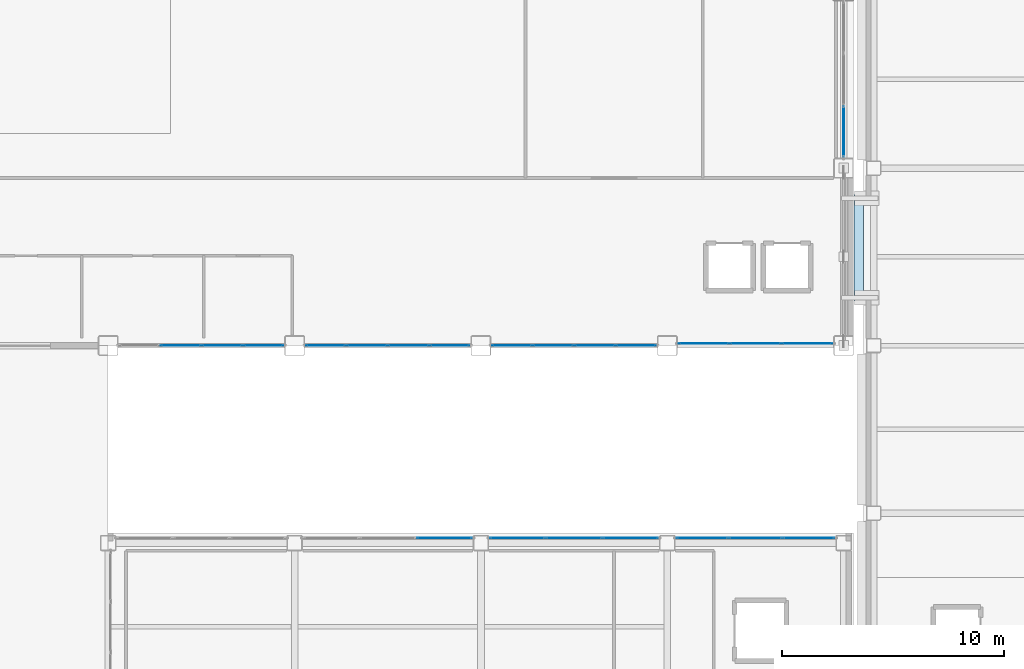
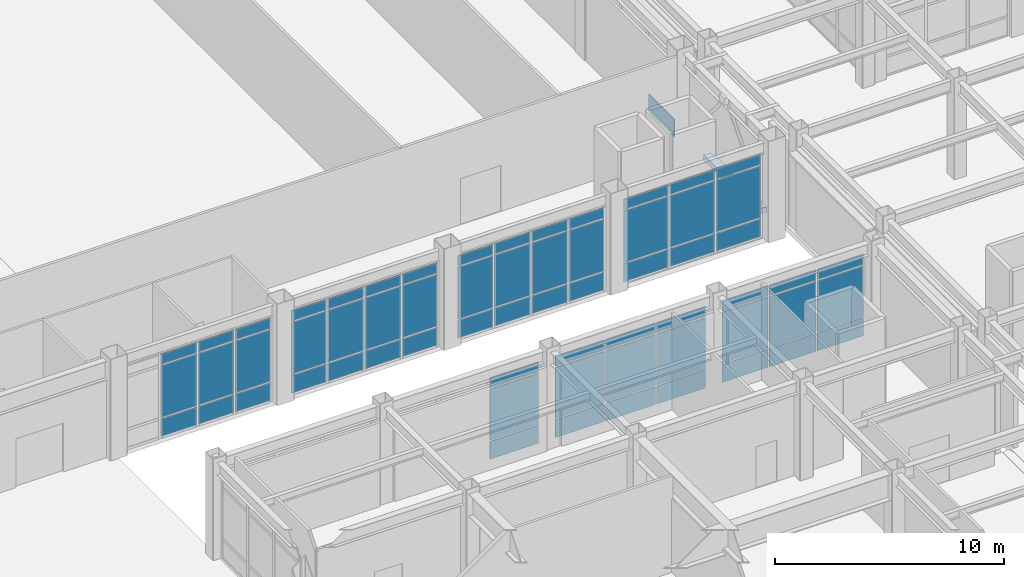
# One storey, part 111 of 165: 64 plates, 1 slab, 8 elements without a shape of their own.
"""IFC4 building model written with IfcOpenShell, lengths in metres."""

from ifc_helpers import new_model, si_unit, direction, frame, origin, origin_2d, place, context, subcontext, project, spatial, polyline, rectangle, outline, extrude, material, layer, layer_set, type_object, element, aggregate, save


model = new_model("IFC4")

# Units and contexts
model_context = context("Model", 3, precision=1e-05, world=origin(), true_north=direction((0.0, 1.0)))
body_context = subcontext(model_context, "Body", "Model", "MODEL_VIEW")
ifc_project = project(units=[si_unit("LENGTHUNIT", "METRE"), si_unit("AREAUNIT", "SQUARE_METRE"), si_unit("VOLUMEUNIT", "CUBIC_METRE"), si_unit("PLANEANGLEUNIT", "RADIAN"), si_unit("MASSUNIT", "GRAM", prefix="KILO")], contexts=[model_context])

# Site, building, storey
site_placement = place(None, origin())
site = spatial("IfcSite", under=ifc_project, at=site_placement, CompositionType="ELEMENT")
building_placement = place(site_placement, origin())
building = spatial("IfcBuilding", under=site, at=building_placement, Name="Kazehara Bluff Congress Hotel", CompositionType="ELEMENT")
storey_placement = place(building_placement, origin())
storey = spatial("IfcBuildingStorey", under=building, at=storey_placement, Name="L00", CompositionType="ELEMENT", Elevation=0.0)

# Curtain wall, plates
ifc_material_1 = material(Name="Anodised aluminium", Category="aluminium")
ifc_layer_1 = layer(ifc_material_1, 0.159912109375)
ifc_layer_set_1 = layer_set([ifc_layer_1], Name="Anodised aluminium")
curtain_wall_type_1 = type_object("IfcCurtainWallType", Name="TP-CW-16", PredefinedType="NOTDEFINED", material=ifc_layer_set_1)
curtain_wall_1_placement = place(storey_placement, origin())
curtain_wall_1 = element("IfcCurtainWall", 1, at=curtain_wall_1_placement, inside=storey, type_object=curtain_wall_type_1, Name="L00 curtain wall CW-16 CW-V1-L00-Y4845-2565", PredefinedType="NOTDEFINED")
ifc_material_2 = material(Name="Insulated low-E double glazing", Category="glass")
ifc_layer_2 = layer(ifc_material_2, 0.031982421875)
ifc_layer_set_2 = layer_set([ifc_layer_2], Name="Insulated low-E double glazing")
plate_type = type_object("IfcPlateType", Name="TP-CWP-02", PredefinedType="CURTAIN_PANEL", material=ifc_layer_set_2)
plate_1_placement = place(storey_placement, frame((28.46240234375, 48.449951171875, 0.06494140625), z_axis=(0.0, 0.0, 1.0), x_axis=(1.0, 0.0, 0.0)))
plate_1 = element("IfcPlate", 2, at=plate_1_placement, type_object=plate_type, Name="CW-16 panel 2.1", PredefinedType="CURTAIN_PANEL", context=body_context, shape_type="SweptSolid", body=[
    extrude(rectangle(XDim=1.804931640625, YDim=0.031982421875, at=origin_2d()), origin(), (0.0, 0.0, 1.0), 0.952392578125),
])
plate_2_placement = place(storey_placement, frame((28.46240234375, 48.449951171875, 1.08251953125), z_axis=(0.0, 0.0, 1.0), x_axis=(1.0, 0.0, 0.0)))
plate_2 = element("IfcPlate", 3, at=plate_2_placement, type_object=plate_type, Name="CW-16 panel 2.2", PredefinedType="CURTAIN_PANEL", context=body_context, shape_type="SweptSolid", body=[
    extrude(rectangle(XDim=1.804931640625, YDim=0.031982421875, at=origin_2d()), origin(), (0.0, 0.0, 1.0), 2.760009765625),
])
plate_3_placement = place(storey_placement, frame((28.46240234375, 48.449951171875, 3.90771484375), z_axis=(0.0, 0.0, 1.0), x_axis=(1.0, 0.0, 0.0)))
plate_3 = element("IfcPlate", 4, at=plate_3_placement, type_object=plate_type, Name="CW-16 panel 2.3", PredefinedType="CURTAIN_PANEL", context=body_context, shape_type="SweptSolid", body=[
    extrude(rectangle(XDim=1.804931640625, YDim=0.031982421875, at=origin_2d()), origin(), (0.0, 0.0, 1.0), 0.552490234375),
])
plate_4_placement = place(storey_placement, frame((30.33740234375, 48.449951171875, 0.06494140625), z_axis=(0.0, 0.0, 1.0), x_axis=(1.0, 0.0, 0.0)))
plate_4 = element("IfcPlate", 5, at=plate_4_placement, type_object=plate_type, Name="CW-16 panel 3.1", PredefinedType="CURTAIN_PANEL", context=body_context, shape_type="SweptSolid", body=[
    extrude(rectangle(XDim=1.804931640625, YDim=0.031982421875, at=origin_2d()), origin(), (0.0, 0.0, 1.0), 0.952392578125),
])
plate_5_placement = place(storey_placement, frame((30.33740234375, 48.449951171875, 1.08251953125), z_axis=(0.0, 0.0, 1.0), x_axis=(1.0, 0.0, 0.0)))
plate_5 = element("IfcPlate", 6, at=plate_5_placement, type_object=plate_type, Name="CW-16 panel 3.2", PredefinedType="CURTAIN_PANEL", context=body_context, shape_type="SweptSolid", body=[
    extrude(rectangle(XDim=1.804931640625, YDim=0.031982421875, at=origin_2d()), origin(), (0.0, 0.0, 1.0), 2.760009765625),
])
plate_6_placement = place(storey_placement, frame((30.33740234375, 48.449951171875, 3.90771484375), z_axis=(0.0, 0.0, 1.0), x_axis=(1.0, 0.0, 0.0)))
plate_6 = element("IfcPlate", 7, at=plate_6_placement, type_object=plate_type, Name="CW-16 panel 3.3", PredefinedType="CURTAIN_PANEL", context=body_context, shape_type="SweptSolid", body=[
    extrude(rectangle(XDim=1.804931640625, YDim=0.031982421875, at=origin_2d()), origin(), (0.0, 0.0, 1.0), 0.552490234375),
])
plate_7_placement = place(storey_placement, frame((32.195068359375, 48.449951171875, 0.06494140625), z_axis=(0.0, 0.0, 1.0), x_axis=(1.0, 0.0, 0.0)))
plate_7 = element("IfcPlate", 8, at=plate_7_placement, type_object=plate_type, Name="CW-16 panel 4.1", PredefinedType="CURTAIN_PANEL", context=body_context, shape_type="SweptSolid", body=[
    extrude(rectangle(XDim=1.77001953125, YDim=0.031982421875, at=origin_2d()), origin(), (0.0, 0.0, 1.0), 0.952392578125),
])
plate_8_placement = place(storey_placement, frame((32.195068359375, 48.449951171875, 1.08251953125), z_axis=(0.0, 0.0, 1.0), x_axis=(1.0, 0.0, 0.0)))
plate_8 = element("IfcPlate", 9, at=plate_8_placement, type_object=plate_type, Name="CW-16 panel 4.2", PredefinedType="CURTAIN_PANEL", context=body_context, shape_type="SweptSolid", body=[
    extrude(rectangle(XDim=1.77001953125, YDim=0.031982421875, at=origin_2d()), origin(), (0.0, 0.0, 1.0), 2.760009765625),
])
plate_9_placement = place(storey_placement, frame((32.195068359375, 48.449951171875, 3.90771484375), z_axis=(0.0, 0.0, 1.0), x_axis=(1.0, 0.0, 0.0)))
plate_9 = element("IfcPlate", 10, at=plate_9_placement, type_object=plate_type, Name="CW-16 panel 4.3", PredefinedType="CURTAIN_PANEL", context=body_context, shape_type="SweptSolid", body=[
    extrude(rectangle(XDim=1.77001953125, YDim=0.031982421875, at=origin_2d()), origin(), (0.0, 0.0, 1.0), 0.552490234375),
])
aggregate(curtain_wall_1, [plate_1, plate_2, plate_3, plate_4, plate_5, plate_6, plate_7, plate_8, plate_9])

curtain_wall_2_placement = place(storey_placement, origin())
curtain_wall_2 = element("IfcCurtainWall", 11, at=curtain_wall_2_placement, inside=storey, type_object=curtain_wall_type_1, Name="L00 curtain wall CW-16 CW-V1-L00-Y4845-3405", PredefinedType="NOTDEFINED")
plate_10_placement = place(storey_placement, frame((35.0048828125, 48.449951171875, 0.06494140625), z_axis=(0.0, 0.0, 1.0), x_axis=(1.0, 0.0, 0.0)))
plate_10 = element("IfcPlate", 12, at=plate_10_placement, type_object=plate_type, Name="CW-16 panel 1.1", PredefinedType="CURTAIN_PANEL", context=body_context, shape_type="SweptSolid", body=[
    extrude(rectangle(XDim=1.77001953125, YDim=0.031982421875, at=origin_2d()), origin(), (0.0, 0.0, 1.0), 0.952392578125),
])
plate_11_placement = place(storey_placement, frame((35.0048828125, 48.449951171875, 1.08251953125), z_axis=(0.0, 0.0, 1.0), x_axis=(1.0, 0.0, 0.0)))
plate_11 = element("IfcPlate", 13, at=plate_11_placement, type_object=plate_type, Name="CW-16 panel 1.2", PredefinedType="CURTAIN_PANEL", context=body_context, shape_type="SweptSolid", body=[
    extrude(rectangle(XDim=1.77001953125, YDim=0.031982421875, at=origin_2d()), origin(), (0.0, 0.0, 1.0), 2.760009765625),
])
plate_12_placement = place(storey_placement, frame((35.0048828125, 48.449951171875, 3.90771484375), z_axis=(0.0, 0.0, 1.0), x_axis=(1.0, 0.0, 0.0)))
plate_12 = element("IfcPlate", 14, at=plate_12_placement, type_object=plate_type, Name="CW-16 panel 1.3", PredefinedType="CURTAIN_PANEL", context=body_context, shape_type="SweptSolid", body=[
    extrude(rectangle(XDim=1.77001953125, YDim=0.031982421875, at=origin_2d()), origin(), (0.0, 0.0, 1.0), 0.552490234375),
])
plate_13_placement = place(storey_placement, frame((36.862548828125, 48.449951171875, 0.06494140625), z_axis=(0.0, 0.0, 1.0), x_axis=(1.0, 0.0, 0.0)))
plate_13 = element("IfcPlate", 15, at=plate_13_placement, type_object=plate_type, Name="CW-16 panel 2.1", PredefinedType="CURTAIN_PANEL", context=body_context, shape_type="SweptSolid", body=[
    extrude(rectangle(XDim=1.804931640625, YDim=0.031982421875, at=origin_2d()), origin(), (0.0, 0.0, 1.0), 0.952392578125),
])
plate_14_placement = place(storey_placement, frame((36.862548828125, 48.449951171875, 1.08251953125), z_axis=(0.0, 0.0, 1.0), x_axis=(1.0, 0.0, 0.0)))
plate_14 = element("IfcPlate", 16, at=plate_14_placement, type_object=plate_type, Name="CW-16 panel 2.2", PredefinedType="CURTAIN_PANEL", context=body_context, shape_type="SweptSolid", body=[
    extrude(rectangle(XDim=1.804931640625, YDim=0.031982421875, at=origin_2d()), origin(), (0.0, 0.0, 1.0), 2.760009765625),
])
plate_15_placement = place(storey_placement, frame((36.862548828125, 48.449951171875, 3.90771484375), z_axis=(0.0, 0.0, 1.0), x_axis=(1.0, 0.0, 0.0)))
plate_15 = element("IfcPlate", 17, at=plate_15_placement, type_object=plate_type, Name="CW-16 panel 2.3", PredefinedType="CURTAIN_PANEL", context=body_context, shape_type="SweptSolid", body=[
    extrude(rectangle(XDim=1.804931640625, YDim=0.031982421875, at=origin_2d()), origin(), (0.0, 0.0, 1.0), 0.552490234375),
])
plate_16_placement = place(storey_placement, frame((38.737548828125, 48.449951171875, 0.06494140625), z_axis=(0.0, 0.0, 1.0), x_axis=(1.0, 0.0, 0.0)))
plate_16 = element("IfcPlate", 18, at=plate_16_placement, type_object=plate_type, Name="CW-16 panel 3.1", PredefinedType="CURTAIN_PANEL", context=body_context, shape_type="SweptSolid", body=[
    extrude(rectangle(XDim=1.804931640625, YDim=0.031982421875, at=origin_2d()), origin(), (0.0, 0.0, 1.0), 0.952392578125),
])
plate_17_placement = place(storey_placement, frame((38.737548828125, 48.449951171875, 1.08251953125), z_axis=(0.0, 0.0, 1.0), x_axis=(1.0, 0.0, 0.0)))
plate_17 = element("IfcPlate", 19, at=plate_17_placement, type_object=plate_type, Name="CW-16 panel 3.2", PredefinedType="CURTAIN_PANEL", context=body_context, shape_type="SweptSolid", body=[
    extrude(rectangle(XDim=1.804931640625, YDim=0.031982421875, at=origin_2d()), origin(), (0.0, 0.0, 1.0), 2.760009765625),
])
plate_18_placement = place(storey_placement, frame((38.737548828125, 48.449951171875, 3.90771484375), z_axis=(0.0, 0.0, 1.0), x_axis=(1.0, 0.0, 0.0)))
plate_18 = element("IfcPlate", 20, at=plate_18_placement, type_object=plate_type, Name="CW-16 panel 3.3", PredefinedType="CURTAIN_PANEL", context=body_context, shape_type="SweptSolid", body=[
    extrude(rectangle(XDim=1.804931640625, YDim=0.031982421875, at=origin_2d()), origin(), (0.0, 0.0, 1.0), 0.552490234375),
])
plate_19_placement = place(storey_placement, frame((40.594970703125, 48.449951171875, 0.06494140625), z_axis=(0.0, 0.0, 1.0), x_axis=(1.0, 0.0, 0.0)))
plate_19 = element("IfcPlate", 21, at=plate_19_placement, type_object=plate_type, Name="CW-16 panel 4.1", PredefinedType="CURTAIN_PANEL", context=body_context, shape_type="SweptSolid", body=[
    extrude(rectangle(XDim=1.77001953125, YDim=0.031982421875, at=origin_2d()), origin(), (0.0, 0.0, 1.0), 0.952392578125),
])
plate_20_placement = place(storey_placement, frame((40.594970703125, 48.449951171875, 1.08251953125), z_axis=(0.0, 0.0, 1.0), x_axis=(1.0, 0.0, 0.0)))
plate_20 = element("IfcPlate", 22, at=plate_20_placement, type_object=plate_type, Name="CW-16 panel 4.2", PredefinedType="CURTAIN_PANEL", context=body_context, shape_type="SweptSolid", body=[
    extrude(rectangle(XDim=1.77001953125, YDim=0.031982421875, at=origin_2d()), origin(), (0.0, 0.0, 1.0), 2.760009765625),
])
plate_21_placement = place(storey_placement, frame((40.594970703125, 48.449951171875, 3.90771484375), z_axis=(0.0, 0.0, 1.0), x_axis=(1.0, 0.0, 0.0)))
plate_21 = element("IfcPlate", 23, at=plate_21_placement, type_object=plate_type, Name="CW-16 panel 4.3", PredefinedType="CURTAIN_PANEL", context=body_context, shape_type="SweptSolid", body=[
    extrude(rectangle(XDim=1.77001953125, YDim=0.031982421875, at=origin_2d()), origin(), (0.0, 0.0, 1.0), 0.552490234375),
])
aggregate(curtain_wall_2, [plate_10, plate_11, plate_12, plate_13, plate_14, plate_15, plate_16, plate_17, plate_18, plate_19, plate_20, plate_21])

curtain_wall_3_placement = place(storey_placement, origin())
curtain_wall_3 = element("IfcCurtainWall", 24, at=curtain_wall_3_placement, inside=storey, type_object=curtain_wall_type_1, Name="L00 curtain wall CW-16 CW-V1-L00-Y4845-4245", PredefinedType="NOTDEFINED")
plate_22_placement = place(storey_placement, frame((43.405029296875, 48.449951171875, 0.06494140625), z_axis=(0.0, 0.0, 1.0), x_axis=(1.0, 0.0, 0.0)))
plate_22 = element("IfcPlate", 25, at=plate_22_placement, type_object=plate_type, Name="CW-16 panel 1.1", PredefinedType="CURTAIN_PANEL", context=body_context, shape_type="SweptSolid", body=[
    extrude(rectangle(XDim=1.77001953125, YDim=0.031982421875, at=origin_2d()), origin(), (0.0, 0.0, 1.0), 0.952392578125),
])
plate_23_placement = place(storey_placement, frame((43.405029296875, 48.449951171875, 1.08251953125), z_axis=(0.0, 0.0, 1.0), x_axis=(1.0, 0.0, 0.0)))
plate_23 = element("IfcPlate", 26, at=plate_23_placement, type_object=plate_type, Name="CW-16 panel 1.2", PredefinedType="CURTAIN_PANEL", context=body_context, shape_type="SweptSolid", body=[
    extrude(rectangle(XDim=1.77001953125, YDim=0.031982421875, at=origin_2d()), origin(), (0.0, 0.0, 1.0), 2.760009765625),
])
plate_24_placement = place(storey_placement, frame((43.405029296875, 48.449951171875, 3.90771484375), z_axis=(0.0, 0.0, 1.0), x_axis=(1.0, 0.0, 0.0)))
plate_24 = element("IfcPlate", 27, at=plate_24_placement, type_object=plate_type, Name="CW-16 panel 1.3", PredefinedType="CURTAIN_PANEL", context=body_context, shape_type="SweptSolid", body=[
    extrude(rectangle(XDim=1.77001953125, YDim=0.031982421875, at=origin_2d()), origin(), (0.0, 0.0, 1.0), 0.552490234375),
])
plate_25_placement = place(storey_placement, frame((45.262451171875, 48.449951171875, 0.06494140625), z_axis=(0.0, 0.0, 1.0), x_axis=(1.0, 0.0, 0.0)))
plate_25 = element("IfcPlate", 28, at=plate_25_placement, type_object=plate_type, Name="CW-16 panel 2.1", PredefinedType="CURTAIN_PANEL", context=body_context, shape_type="SweptSolid", body=[
    extrude(rectangle(XDim=1.804931640625, YDim=0.031982421875, at=origin_2d()), origin(), (0.0, 0.0, 1.0), 0.952392578125),
])
plate_26_placement = place(storey_placement, frame((45.262451171875, 48.449951171875, 1.08251953125), z_axis=(0.0, 0.0, 1.0), x_axis=(1.0, 0.0, 0.0)))
plate_26 = element("IfcPlate", 29, at=plate_26_placement, type_object=plate_type, Name="CW-16 panel 2.2", PredefinedType="CURTAIN_PANEL", context=body_context, shape_type="SweptSolid", body=[
    extrude(rectangle(XDim=1.804931640625, YDim=0.031982421875, at=origin_2d()), origin(), (0.0, 0.0, 1.0), 2.760009765625),
])
plate_27_placement = place(storey_placement, frame((45.262451171875, 48.449951171875, 3.90771484375), z_axis=(0.0, 0.0, 1.0), x_axis=(1.0, 0.0, 0.0)))
plate_27 = element("IfcPlate", 30, at=plate_27_placement, type_object=plate_type, Name="CW-16 panel 2.3", PredefinedType="CURTAIN_PANEL", context=body_context, shape_type="SweptSolid", body=[
    extrude(rectangle(XDim=1.804931640625, YDim=0.031982421875, at=origin_2d()), origin(), (0.0, 0.0, 1.0), 0.552490234375),
])
plate_28_placement = place(storey_placement, frame((47.137451171875, 48.449951171875, 0.06494140625), z_axis=(0.0, 0.0, 1.0), x_axis=(1.0, 0.0, 0.0)))
plate_28 = element("IfcPlate", 31, at=plate_28_placement, type_object=plate_type, Name="CW-16 panel 3.1", PredefinedType="CURTAIN_PANEL", context=body_context, shape_type="SweptSolid", body=[
    extrude(rectangle(XDim=1.804931640625, YDim=0.031982421875, at=origin_2d()), origin(), (0.0, 0.0, 1.0), 0.952392578125),
])
plate_29_placement = place(storey_placement, frame((47.137451171875, 48.449951171875, 1.08251953125), z_axis=(0.0, 0.0, 1.0), x_axis=(1.0, 0.0, 0.0)))
plate_29 = element("IfcPlate", 32, at=plate_29_placement, type_object=plate_type, Name="CW-16 panel 3.2", PredefinedType="CURTAIN_PANEL", context=body_context, shape_type="SweptSolid", body=[
    extrude(rectangle(XDim=1.804931640625, YDim=0.031982421875, at=origin_2d()), origin(), (0.0, 0.0, 1.0), 2.760009765625),
])
plate_30_placement = place(storey_placement, frame((47.137451171875, 48.449951171875, 3.90771484375), z_axis=(0.0, 0.0, 1.0), x_axis=(1.0, 0.0, 0.0)))
plate_30 = element("IfcPlate", 33, at=plate_30_placement, type_object=plate_type, Name="CW-16 panel 3.3", PredefinedType="CURTAIN_PANEL", context=body_context, shape_type="SweptSolid", body=[
    extrude(rectangle(XDim=1.804931640625, YDim=0.031982421875, at=origin_2d()), origin(), (0.0, 0.0, 1.0), 0.552490234375),
])
plate_31_placement = place(storey_placement, frame((48.9951171875, 48.449951171875, 0.06494140625), z_axis=(0.0, 0.0, 1.0), x_axis=(1.0, 0.0, 0.0)))
plate_31 = element("IfcPlate", 34, at=plate_31_placement, type_object=plate_type, Name="CW-16 panel 4.1", PredefinedType="CURTAIN_PANEL", context=body_context, shape_type="SweptSolid", body=[
    extrude(rectangle(XDim=1.77001953125, YDim=0.031982421875, at=origin_2d()), origin(), (0.0, 0.0, 1.0), 0.952392578125),
])
plate_32_placement = place(storey_placement, frame((48.9951171875, 48.449951171875, 1.08251953125), z_axis=(0.0, 0.0, 1.0), x_axis=(1.0, 0.0, 0.0)))
plate_32 = element("IfcPlate", 35, at=plate_32_placement, type_object=plate_type, Name="CW-16 panel 4.2", PredefinedType="CURTAIN_PANEL", context=body_context, shape_type="SweptSolid", body=[
    extrude(rectangle(XDim=1.77001953125, YDim=0.031982421875, at=origin_2d()), origin(), (0.0, 0.0, 1.0), 2.760009765625),
])
plate_33_placement = place(storey_placement, frame((48.9951171875, 48.449951171875, 3.90771484375), z_axis=(0.0, 0.0, 1.0), x_axis=(1.0, 0.0, 0.0)))
plate_33 = element("IfcPlate", 36, at=plate_33_placement, type_object=plate_type, Name="CW-16 panel 4.3", PredefinedType="CURTAIN_PANEL", context=body_context, shape_type="SweptSolid", body=[
    extrude(rectangle(XDim=1.77001953125, YDim=0.031982421875, at=origin_2d()), origin(), (0.0, 0.0, 1.0), 0.552490234375),
])
aggregate(curtain_wall_3, [plate_22, plate_23, plate_24, plate_25, plate_26, plate_27, plate_28, plate_29, plate_30, plate_31, plate_32, plate_33])

# Curtain wall, plate
ifc_material_3 = material(Name="Anodised aluminium", Category="aluminium")
ifc_layer_3 = layer(ifc_material_3, 0.159912109375)
ifc_layer_set_3 = layer_set([ifc_layer_3], Name="Anodised aluminium")
curtain_wall_type_2 = type_object("IfcCurtainWallType", Name="TP-CW-17", PredefinedType="NOTDEFINED", material=ifc_layer_set_3)
curtain_wall_4_placement = place(storey_placement, origin())
curtain_wall_4 = element("IfcCurtainWall", 37, at=curtain_wall_4_placement, inside=storey, type_object=curtain_wall_type_2, Name="L00 curtain wall CW-17 CW-V1-L00-X5835-5690", PredefinedType="NOTDEFINED")
plate_34_placement = place(storey_placement, frame((58.35009765625, 58.100830078125, 0.06494140625), z_axis=(0.0, 0.0, 1.0), x_axis=(0.0, 1.0, 0.0)))
plate_34 = element("IfcPlate", 38, at=plate_34_placement, type_object=plate_type, Name="CW-17 panel 1.1", PredefinedType="CURTAIN_PANEL", context=body_context, shape_type="SweptSolid", body=[
    extrude(rectangle(XDim=2.26171875, YDim=0.031982421875, at=origin_2d()), origin(), (0.0, 0.0, 1.0), 0.952392578125),
])
aggregate(curtain_wall_4, [plate_34])

# Curtain wall, plates
ifc_material_4 = material(Name="Anodised aluminium", Category="aluminium")
ifc_layer_4 = layer(ifc_material_4, 0.159912109375)
ifc_layer_set_4 = layer_set([ifc_layer_4], Name="Anodised aluminium")
curtain_wall_type_3 = type_object("IfcCurtainWallType", Name="TP-CW-96", PredefinedType="NOTDEFINED", material=ifc_layer_set_4)
curtain_wall_5_placement = place(storey_placement, origin())
curtain_wall_5 = element("IfcCurtainWall", 39, at=curtain_wall_5_placement, inside=storey, type_object=curtain_wall_type_3, Name="L00 curtain wall CW-96 CW-ENC-V1-L00-5438-4855", PredefinedType="NOTDEFINED")
plate_35_placement = place(storey_placement, frame((56.70751953125, 48.550048828125, 0.06494140625), z_axis=(0.0, 0.0, 1.0), x_axis=(-1.0, 0.0, 0.0)))
plate_35 = element("IfcPlate", 40, at=plate_35_placement, type_object=plate_type, Name="CW-96 panel 1.1", PredefinedType="CURTAIN_PANEL", context=body_context, shape_type="SweptSolid", body=[
    extrude(rectangle(XDim=2.2451171875, YDim=0.031982421875, at=origin_2d()), origin(), (0.0, 0.0, 1.0), 0.952392578125),
])
plate_36_placement = place(storey_placement, frame((56.70751953125, 48.550048828125, 1.08251953125), z_axis=(0.0, 0.0, 1.0), x_axis=(-1.0, 0.0, 0.0)))
plate_36 = element("IfcPlate", 41, at=plate_36_placement, type_object=plate_type, Name="CW-96 panel 1.2", PredefinedType="CURTAIN_PANEL", context=body_context, shape_type="SweptSolid", body=[
    extrude(rectangle(XDim=2.2451171875, YDim=0.031982421875, at=origin_2d()), origin(), (0.0, 0.0, 1.0), 2.760009765625),
])
plate_37_placement = place(storey_placement, frame((56.70751953125, 48.550048828125, 3.90771484375), z_axis=(0.0, 0.0, 1.0), x_axis=(-1.0, 0.0, 0.0)))
plate_37 = element("IfcPlate", 42, at=plate_37_placement, type_object=plate_type, Name="CW-96 panel 1.3", PredefinedType="CURTAIN_PANEL", context=body_context, shape_type="SweptSolid", body=[
    extrude(rectangle(XDim=2.2451171875, YDim=0.031982421875, at=origin_2d()), origin(), (0.0, 0.0, 1.0), 0.552490234375),
])
plate_38_placement = place(storey_placement, frame((54.375, 48.550048828125, 0.06494140625), z_axis=(0.0, 0.0, 1.0), x_axis=(-1.0, 0.0, 0.0)))
plate_38 = element("IfcPlate", 43, at=plate_38_placement, type_object=plate_type, Name="CW-96 panel 2.1", PredefinedType="CURTAIN_PANEL", context=body_context, shape_type="SweptSolid", body=[
    extrude(rectangle(XDim=2.280029296875, YDim=0.031982421875, at=origin_2d()), origin(), (0.0, 0.0, 1.0), 0.952392578125),
])
plate_39_placement = place(storey_placement, frame((54.375, 48.550048828125, 1.08251953125), z_axis=(0.0, 0.0, 1.0), x_axis=(-1.0, 0.0, 0.0)))
plate_39 = element("IfcPlate", 44, at=plate_39_placement, type_object=plate_type, Name="CW-96 panel 2.2", PredefinedType="CURTAIN_PANEL", context=body_context, shape_type="SweptSolid", body=[
    extrude(rectangle(XDim=2.280029296875, YDim=0.031982421875, at=origin_2d()), origin(), (0.0, 0.0, 1.0), 2.760009765625),
])
plate_40_placement = place(storey_placement, frame((54.375, 48.550048828125, 3.90771484375), z_axis=(0.0, 0.0, 1.0), x_axis=(-1.0, 0.0, 0.0)))
plate_40 = element("IfcPlate", 45, at=plate_40_placement, type_object=plate_type, Name="CW-96 panel 2.3", PredefinedType="CURTAIN_PANEL", context=body_context, shape_type="SweptSolid", body=[
    extrude(rectangle(XDim=2.280029296875, YDim=0.031982421875, at=origin_2d()), origin(), (0.0, 0.0, 1.0), 0.552490234375),
])
plate_41_placement = place(storey_placement, frame((52.04248046875, 48.550048828125, 0.06494140625), z_axis=(0.0, 0.0, 1.0), x_axis=(-1.0, 0.0, 0.0)))
plate_41 = element("IfcPlate", 46, at=plate_41_placement, type_object=plate_type, Name="CW-96 panel 3.1", PredefinedType="CURTAIN_PANEL", context=body_context, shape_type="SweptSolid", body=[
    extrude(rectangle(XDim=2.2451171875, YDim=0.031982421875, at=origin_2d()), origin(), (0.0, 0.0, 1.0), 0.952392578125),
])
plate_42_placement = place(storey_placement, frame((52.04248046875, 48.550048828125, 1.08251953125), z_axis=(0.0, 0.0, 1.0), x_axis=(-1.0, 0.0, 0.0)))
plate_42 = element("IfcPlate", 47, at=plate_42_placement, type_object=plate_type, Name="CW-96 panel 3.2", PredefinedType="CURTAIN_PANEL", context=body_context, shape_type="SweptSolid", body=[
    extrude(rectangle(XDim=2.2451171875, YDim=0.031982421875, at=origin_2d()), origin(), (0.0, 0.0, 1.0), 2.760009765625),
])
plate_43_placement = place(storey_placement, frame((52.04248046875, 48.550048828125, 3.90771484375), z_axis=(0.0, 0.0, 1.0), x_axis=(-1.0, 0.0, 0.0)))
plate_43 = element("IfcPlate", 48, at=plate_43_placement, type_object=plate_type, Name="CW-96 panel 3.3", PredefinedType="CURTAIN_PANEL", context=body_context, shape_type="SweptSolid", body=[
    extrude(rectangle(XDim=2.2451171875, YDim=0.031982421875, at=origin_2d()), origin(), (0.0, 0.0, 1.0), 0.552490234375),
])
aggregate(curtain_wall_5, [plate_35, plate_36, plate_37, plate_38, plate_39, plate_40, plate_41, plate_42, plate_43])

ifc_material_5 = material(Name="Anodised aluminium", Category="aluminium")
ifc_layer_5 = layer(ifc_material_5, 0.159912109375)
ifc_layer_set_5 = layer_set([ifc_layer_5], Name="Anodised aluminium")
curtain_wall_type_4 = type_object("IfcCurtainWallType", Name="TP-CW-26", PredefinedType="NOTDEFINED", material=ifc_layer_set_5)
curtain_wall_6_placement = place(storey_placement, origin())
curtain_wall_6 = element("IfcCurtainWall", 49, at=curtain_wall_6_placement, inside=storey, type_object=curtain_wall_type_4, Name="L00 curtain wall CW-26 CW-ENC-V2-L00-3780-3978", PredefinedType="NOTDEFINED")
plate_44_placement = place(storey_placement, frame((40.34912109375, 39.780029296875, 0.06494140625), z_axis=(0.0, 0.0, 1.0), x_axis=(1.0, 0.0, 0.0)))
plate_44 = element("IfcPlate", 50, at=plate_44_placement, type_object=plate_type, Name="CW-26 panel 3.1", PredefinedType="CURTAIN_PANEL", context=body_context, shape_type="SweptSolid", body=[
    extrude(rectangle(XDim=2.461669921875, YDim=0.031982421875, at=origin_2d()), origin(), (0.0, 0.0, 1.0), 0.952392578125),
])
plate_45_placement = place(storey_placement, frame((40.34912109375, 39.780029296875, 1.08251953125), z_axis=(0.0, 0.0, 1.0), x_axis=(1.0, 0.0, 0.0)))
plate_45 = element("IfcPlate", 51, at=plate_45_placement, type_object=plate_type, Name="CW-26 panel 3.2", PredefinedType="CURTAIN_PANEL", context=body_context, shape_type="SweptSolid", body=[
    extrude(rectangle(XDim=2.461669921875, YDim=0.031982421875, at=origin_2d()), origin(), (0.0, 0.0, 1.0), 2.7099609375),
])
plate_46_placement = place(storey_placement, frame((40.34912109375, 39.780029296875, 3.857421875), z_axis=(0.0, 0.0, 1.0), x_axis=(1.0, 0.0, 0.0)))
plate_46 = element("IfcPlate", 52, at=plate_46_placement, type_object=plate_type, Name="CW-26 panel 3.3", PredefinedType="CURTAIN_PANEL", context=body_context, shape_type="SweptSolid", body=[
    extrude(rectangle(XDim=2.461669921875, YDim=0.031982421875, at=origin_2d()), origin(), (0.0, 0.0, 1.0), 0.552490234375),
])
aggregate(curtain_wall_6, [plate_44, plate_45, plate_46])

curtain_wall_7_placement = place(storey_placement, origin())
curtain_wall_7 = element("IfcCurtainWall", 53, at=curtain_wall_7_placement, inside=storey, type_object=curtain_wall_type_4, Name="L00 curtain wall CW-26 CW-ENC-V2-L00-4620-3978", PredefinedType="NOTDEFINED")
plate_47_placement = place(storey_placement, frame((43.65087890625, 39.780029296875, 0.06494140625), z_axis=(0.0, 0.0, 1.0), x_axis=(1.0, 0.0, 0.0)))
plate_47 = element("IfcPlate", 54, at=plate_47_placement, type_object=plate_type, Name="CW-26 panel 1.1", PredefinedType="CURTAIN_PANEL", context=body_context, shape_type="SweptSolid", body=[
    extrude(rectangle(XDim=2.461669921875, YDim=0.031982421875, at=origin_2d()), origin(), (0.0, 0.0, 1.0), 0.952392578125),
])
plate_48_placement = place(storey_placement, frame((43.65087890625, 39.780029296875, 1.08251953125), z_axis=(0.0, 0.0, 1.0), x_axis=(1.0, 0.0, 0.0)))
plate_48 = element("IfcPlate", 55, at=plate_48_placement, type_object=plate_type, Name="CW-26 panel 1.2", PredefinedType="CURTAIN_PANEL", context=body_context, shape_type="SweptSolid", body=[
    extrude(rectangle(XDim=2.461669921875, YDim=0.031982421875, at=origin_2d()), origin(), (0.0, 0.0, 1.0), 2.7099609375),
])
plate_49_placement = place(storey_placement, frame((43.65087890625, 39.780029296875, 3.857421875), z_axis=(0.0, 0.0, 1.0), x_axis=(1.0, 0.0, 0.0)))
plate_49 = element("IfcPlate", 56, at=plate_49_placement, type_object=plate_type, Name="CW-26 panel 1.3", PredefinedType="CURTAIN_PANEL", context=body_context, shape_type="SweptSolid", body=[
    extrude(rectangle(XDim=2.461669921875, YDim=0.031982421875, at=origin_2d()), origin(), (0.0, 0.0, 1.0), 0.552490234375),
])
plate_50_placement = place(storey_placement, frame((46.199951171875, 39.780029296875, 0.06494140625), z_axis=(0.0, 0.0, 1.0), x_axis=(1.0, 0.0, 0.0)))
plate_50 = element("IfcPlate", 57, at=plate_50_placement, type_object=plate_type, Name="CW-26 panel 2.1", PredefinedType="CURTAIN_PANEL", context=body_context, shape_type="SweptSolid", body=[
    extrude(rectangle(XDim=2.49658203125, YDim=0.031982421875, at=origin_2d()), origin(), (0.0, 0.0, 1.0), 0.952392578125),
])
plate_51_placement = place(storey_placement, frame((46.199951171875, 39.780029296875, 1.08251953125), z_axis=(0.0, 0.0, 1.0), x_axis=(1.0, 0.0, 0.0)))
plate_51 = element("IfcPlate", 58, at=plate_51_placement, type_object=plate_type, Name="CW-26 panel 2.2", PredefinedType="CURTAIN_PANEL", context=body_context, shape_type="SweptSolid", body=[
    extrude(rectangle(XDim=2.49658203125, YDim=0.031982421875, at=origin_2d()), origin(), (0.0, 0.0, 1.0), 2.7099609375),
])
plate_52_placement = place(storey_placement, frame((46.199951171875, 39.780029296875, 3.857421875), z_axis=(0.0, 0.0, 1.0), x_axis=(1.0, 0.0, 0.0)))
plate_52 = element("IfcPlate", 59, at=plate_52_placement, type_object=plate_type, Name="CW-26 panel 2.3", PredefinedType="CURTAIN_PANEL", context=body_context, shape_type="SweptSolid", body=[
    extrude(rectangle(XDim=2.49658203125, YDim=0.031982421875, at=origin_2d()), origin(), (0.0, 0.0, 1.0), 0.552490234375),
])
plate_53_placement = place(storey_placement, frame((48.749267578125, 39.780029296875, 0.06494140625), z_axis=(0.0, 0.0, 1.0), x_axis=(1.0, 0.0, 0.0)))
plate_53 = element("IfcPlate", 60, at=plate_53_placement, type_object=plate_type, Name="CW-26 panel 3.1", PredefinedType="CURTAIN_PANEL", context=body_context, shape_type="SweptSolid", body=[
    extrude(rectangle(XDim=2.461669921875, YDim=0.031982421875, at=origin_2d()), origin(), (0.0, 0.0, 1.0), 0.952392578125),
])
plate_54_placement = place(storey_placement, frame((48.749267578125, 39.780029296875, 1.08251953125), z_axis=(0.0, 0.0, 1.0), x_axis=(1.0, 0.0, 0.0)))
plate_54 = element("IfcPlate", 61, at=plate_54_placement, type_object=plate_type, Name="CW-26 panel 3.2", PredefinedType="CURTAIN_PANEL", context=body_context, shape_type="SweptSolid", body=[
    extrude(rectangle(XDim=2.461669921875, YDim=0.031982421875, at=origin_2d()), origin(), (0.0, 0.0, 1.0), 2.7099609375),
])
plate_55_placement = place(storey_placement, frame((48.749267578125, 39.780029296875, 3.857421875), z_axis=(0.0, 0.0, 1.0), x_axis=(1.0, 0.0, 0.0)))
plate_55 = element("IfcPlate", 62, at=plate_55_placement, type_object=plate_type, Name="CW-26 panel 3.3", PredefinedType="CURTAIN_PANEL", context=body_context, shape_type="SweptSolid", body=[
    extrude(rectangle(XDim=2.461669921875, YDim=0.031982421875, at=origin_2d()), origin(), (0.0, 0.0, 1.0), 0.552490234375),
])
aggregate(curtain_wall_7, [plate_47, plate_48, plate_49, plate_50, plate_51, plate_52, plate_53, plate_54, plate_55])

ifc_material_6 = material(Name="Anodised aluminium", Category="aluminium")
ifc_layer_6 = layer(ifc_material_6, 0.159912109375)
ifc_layer_set_6 = layer_set([ifc_layer_6], Name="Anodised aluminium")
curtain_wall_type_5 = type_object("IfcCurtainWallType", Name="TP-CW-77", PredefinedType="NOTDEFINED", material=ifc_layer_set_6)
curtain_wall_8_placement = place(storey_placement, origin())
curtain_wall_8 = element("IfcCurtainWall", 63, at=curtain_wall_8_placement, inside=storey, type_object=curtain_wall_type_5, Name="L00 curtain wall CW-77 CW-ENC-V2-L00-5438-3978", PredefinedType="NOTDEFINED")
plate_56_placement = place(storey_placement, frame((51.975830078125, 39.780029296875, 0.06494140625), z_axis=(0.0, 0.0, 1.0), x_axis=(1.0, 0.0, 0.0)))
plate_56 = element("IfcPlate", 64, at=plate_56_placement, type_object=plate_type, Name="CW-77 panel 1.1", PredefinedType="CURTAIN_PANEL", context=body_context, shape_type="SweptSolid", body=[
    extrude(rectangle(XDim=2.311767578125, YDim=0.031982421875, at=origin_2d()), origin(), (0.0, 0.0, 1.0), 0.952392578125),
])
plate_57_placement = place(storey_placement, frame((51.975830078125, 39.780029296875, 1.08251953125), z_axis=(0.0, 0.0, 1.0), x_axis=(1.0, 0.0, 0.0)))
plate_57 = element("IfcPlate", 65, at=plate_57_placement, type_object=plate_type, Name="CW-77 panel 1.2", PredefinedType="CURTAIN_PANEL", context=body_context, shape_type="SweptSolid", body=[
    extrude(rectangle(XDim=2.311767578125, YDim=0.031982421875, at=origin_2d()), origin(), (0.0, 0.0, 1.0), 2.7099609375),
])
plate_58_placement = place(storey_placement, frame((51.975830078125, 39.780029296875, 3.857421875), z_axis=(0.0, 0.0, 1.0), x_axis=(1.0, 0.0, 0.0)))
plate_58 = element("IfcPlate", 66, at=plate_58_placement, type_object=plate_type, Name="CW-77 panel 1.3", PredefinedType="CURTAIN_PANEL", context=body_context, shape_type="SweptSolid", body=[
    extrude(rectangle(XDim=2.311767578125, YDim=0.031982421875, at=origin_2d()), origin(), (0.0, 0.0, 1.0), 0.552490234375),
])
plate_59_placement = place(storey_placement, frame((54.375, 39.780029296875, 0.06494140625), z_axis=(0.0, 0.0, 1.0), x_axis=(1.0, 0.0, 0.0)))
plate_59 = element("IfcPlate", 67, at=plate_59_placement, type_object=plate_type, Name="CW-77 panel 2.1", PredefinedType="CURTAIN_PANEL", context=body_context, shape_type="SweptSolid", body=[
    extrude(rectangle(XDim=2.3466796875, YDim=0.031982421875, at=origin_2d()), origin(), (0.0, 0.0, 1.0), 0.952392578125),
])
plate_60_placement = place(storey_placement, frame((54.375, 39.780029296875, 1.08251953125), z_axis=(0.0, 0.0, 1.0), x_axis=(1.0, 0.0, 0.0)))
plate_60 = element("IfcPlate", 68, at=plate_60_placement, type_object=plate_type, Name="CW-77 panel 2.2", PredefinedType="CURTAIN_PANEL", context=body_context, shape_type="SweptSolid", body=[
    extrude(rectangle(XDim=2.3466796875, YDim=0.031982421875, at=origin_2d()), origin(), (0.0, 0.0, 1.0), 2.7099609375),
])
plate_61_placement = place(storey_placement, frame((54.375, 39.780029296875, 3.857421875), z_axis=(0.0, 0.0, 1.0), x_axis=(1.0, 0.0, 0.0)))
plate_61 = element("IfcPlate", 69, at=plate_61_placement, type_object=plate_type, Name="CW-77 panel 2.3", PredefinedType="CURTAIN_PANEL", context=body_context, shape_type="SweptSolid", body=[
    extrude(rectangle(XDim=2.3466796875, YDim=0.031982421875, at=origin_2d()), origin(), (0.0, 0.0, 1.0), 0.552490234375),
])
plate_62_placement = place(storey_placement, frame((56.774169921875, 39.780029296875, 0.06494140625), z_axis=(0.0, 0.0, 1.0), x_axis=(1.0, 0.0, 0.0)))
plate_62 = element("IfcPlate", 70, at=plate_62_placement, type_object=plate_type, Name="CW-77 panel 3.1", PredefinedType="CURTAIN_PANEL", context=body_context, shape_type="SweptSolid", body=[
    extrude(rectangle(XDim=2.311767578125, YDim=0.031982421875, at=origin_2d()), origin(), (0.0, 0.0, 1.0), 0.952392578125),
])
plate_63_placement = place(storey_placement, frame((56.774169921875, 39.780029296875, 1.08251953125), z_axis=(0.0, 0.0, 1.0), x_axis=(1.0, 0.0, 0.0)))
plate_63 = element("IfcPlate", 71, at=plate_63_placement, type_object=plate_type, Name="CW-77 panel 3.2", PredefinedType="CURTAIN_PANEL", context=body_context, shape_type="SweptSolid", body=[
    extrude(rectangle(XDim=2.311767578125, YDim=0.031982421875, at=origin_2d()), origin(), (0.0, 0.0, 1.0), 2.7099609375),
])
plate_64_placement = place(storey_placement, frame((56.774169921875, 39.780029296875, 3.857421875), z_axis=(0.0, 0.0, 1.0), x_axis=(1.0, 0.0, 0.0)))
plate_64 = element("IfcPlate", 72, at=plate_64_placement, type_object=plate_type, Name="CW-77 panel 3.3", PredefinedType="CURTAIN_PANEL", context=body_context, shape_type="SweptSolid", body=[
    extrude(rectangle(XDim=2.311767578125, YDim=0.031982421875, at=origin_2d()), origin(), (0.0, 0.0, 1.0), 0.552490234375),
])
aggregate(curtain_wall_8, [plate_56, plate_57, plate_58, plate_59, plate_60, plate_61, plate_62, plate_63, plate_64])

# Slab
ifc_material_7 = material(Name="Concrete C36/45", Category="concrete")
ifc_layer_7 = layer(ifc_material_7, 0.280029296875)
ifc_layer_set_7 = layer_set([ifc_layer_7], Name="Concrete C36/45")
slab_type = type_object("IfcSlabType", Name="TP-SL-280", PredefinedType="FLOOR", material=ifc_layer_set_7)
slab_placement = place(storey_placement, frame((0.0, 0.0, -0.280029296875)))
element("IfcSlab", 73, at=slab_placement, inside=storey, type_object=slab_type, Name="Seismic-joint bridge deck BRG-14 L00", PredefinedType="FLOOR", context=body_context, shape_type="SweptSolid", body=[
    extrude(outline(polyline([(58.81005859375, 50.449951171875), (59.239990234375, 50.449951171875), (59.239990234375, 54.85009765625), (59.139892578125, 55.25), (58.81005859375, 55.25), (58.81005859375, 50.449951171875)])), origin(), (0.0, 0.0, 1.0), 0.280029296875),
])

save(model, "model.ifc")
